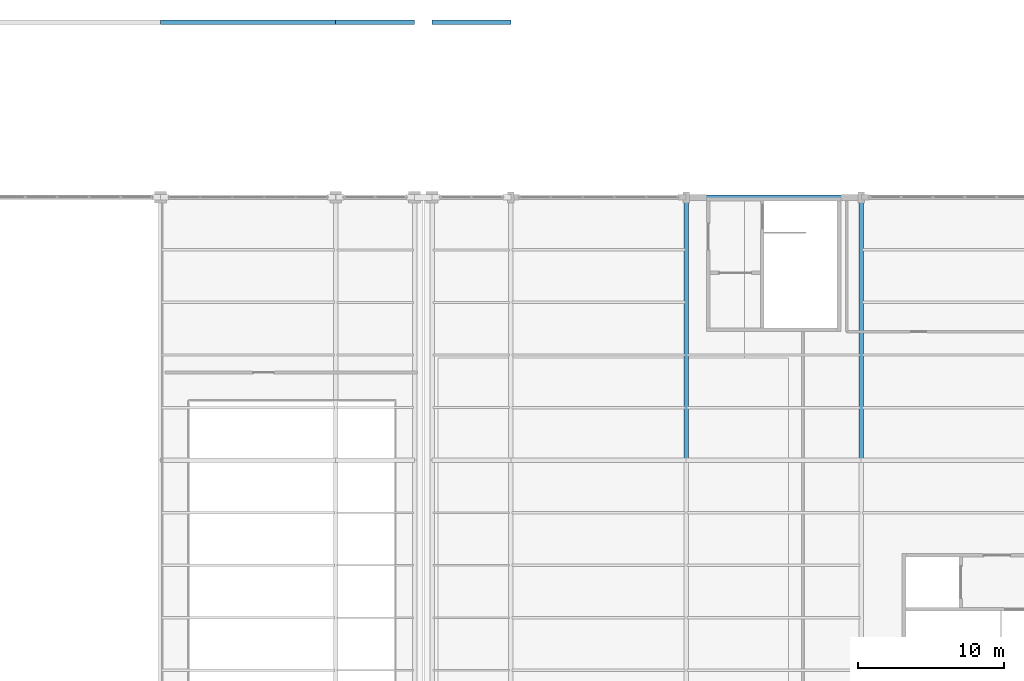
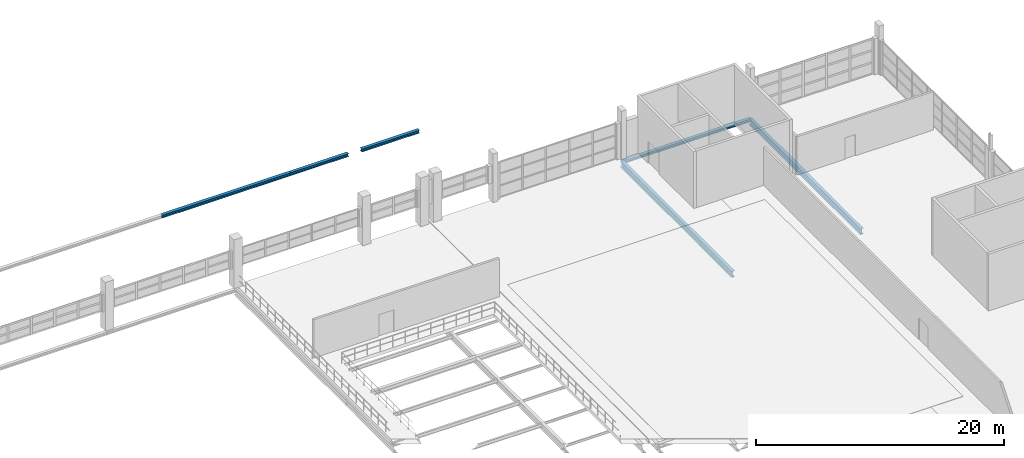
# One storey, part 66 of 86: 6 beams.
"""IFC4 building model written with IfcOpenShell, lengths in metres."""

from ifc_helpers import new_model, si_unit, direction, frame, origin, origin_2d, place, context, subcontext, project, spatial, i_section, extrude, material, material_profile, profile_set, type_object, element, save


model = new_model("IFC4")

# Units and contexts
model_context = context("Model", 3, precision=1e-05, world=origin(), true_north=direction((0.0, 1.0)))
body_context = subcontext(model_context, "Body", "Model", "MODEL_VIEW")
ifc_project = project(units=[si_unit("LENGTHUNIT", "METRE"), si_unit("AREAUNIT", "SQUARE_METRE"), si_unit("VOLUMEUNIT", "CUBIC_METRE"), si_unit("PLANEANGLEUNIT", "RADIAN"), si_unit("MASSUNIT", "GRAM", prefix="KILO")], contexts=[model_context])

# Site, building, storey
site_placement = place(None, origin())
site = spatial("IfcSite", under=ifc_project, at=site_placement, CompositionType="ELEMENT")
building_placement = place(site_placement, origin())
building = spatial("IfcBuilding", under=site, at=building_placement, Name="Zilviju Railside Exhibition Hall", CompositionType="ELEMENT")
storey_placement = place(building_placement, frame((0.0, 0.0, 12.60009765625)))
storey = spatial("IfcBuildingStorey", under=building, at=storey_placement, Name="L04", CompositionType="ELEMENT", Elevation=12.60009765625)

# Beams
ifc_material = material(Name="Steel S355J2", Category="steel")
ifc_material_profile_1 = material_profile(ifc_material, i_section(OverallWidth=0.300048828125, OverallDepth=0.2900390625, WebThickness=0.008544921875, FlangeThickness=0.013916015625, at=origin_2d()), Name="HEA 300")
ifc_profile_set_1 = profile_set([ifc_material_profile_1], Name="Steel S355J2")
beam_type_1 = type_object("IfcBeamType", Name="BM-HEA300", PredefinedType="SPANDREL", material=ifc_profile_set_1)
for number, where, z_axis, x_axis, name in (
    (1, (192.0, 138.0, -0.47509765625), (1.0, 0.0, 0.0), (0.0, 1.0, 0.0), "Primary Girder L04 Y=138.0 (192.0..204.0)"),
    (2, (156.0, 150.0, -0.485107421875), (1.0, 0.0, 0.0), (0.0, 1.0, 0.0), "Primary Girder L04 Y=150.0 (156.0..168.0)"),
):
    element("IfcBeam", number, at=place(storey_placement, frame(where, z_axis=z_axis, x_axis=x_axis)), inside=storey, type_object=beam_type_1, Name=name, PredefinedType="SPANDREL", context=body_context, shape_type="SweptSolid", body=[
        extrude(i_section(OverallWidth=0.300048828125, OverallDepth=0.2900390625, WebThickness=0.008544921875, FlangeThickness=0.013916015625, at=origin_2d()), origin(), (0.0, 0.0, 1.0), 12.0),
    ])
for number, where, z_axis, x_axis, name in (
    (3, (168.0, 150.0, -0.485107421875), (1.0, 0.0, 0.0), (0.0, 1.0, 0.0), "Primary Girder L04 Y=150.0 (168.0..173.4)"),
    (4, (174.60009765625, 150.0, -0.485107421875), (1.0, 0.0, 0.0), (0.0, 1.0, 0.0), "Primary Girder L04 Y=150.0 (174.6..180.0)"),
):
    element("IfcBeam", number, at=place(storey_placement, frame(where, z_axis=z_axis, x_axis=x_axis)), inside=storey, type_object=beam_type_1, Name=name, PredefinedType="SPANDREL", context=body_context, shape_type="SweptSolid", body=[
        extrude(i_section(OverallWidth=0.300048828125, OverallDepth=0.2900390625, WebThickness=0.008544921875, FlangeThickness=0.013916015625, at=origin_2d()), origin(), (0.0, 0.0, 1.0), 5.39990234375),
    ])
ifc_material_profile_2 = material_profile(ifc_material, i_section(OverallWidth=0.300048828125, OverallDepth=0.60009765625, WebThickness=0.015380859375, FlangeThickness=0.030029296875, at=origin_2d()), Name="HEB 600")
ifc_profile_set_2 = profile_set([ifc_material_profile_2], Name="Steel S355J2")
beam_type_2 = type_object("IfcBeamType", Name="BM-HEB600", PredefinedType="BEAM", material=ifc_profile_set_2)
for number, where, z_axis, x_axis, name in (
    (5, (192.0, 120.0, -0.630126953125), (0.0, 1.0, 0.0), (-1.0, 0.0, 0.0), "Transverse Girder L04 X=192.0 (120.0..138.0)"),
    (6, (204.0, 120.0, -0.630126953125), (0.0, 1.0, 0.0), (-1.0, 0.0, 0.0), "Transverse Girder L04 X=204.0 (120.0..138.0)"),
):
    element("IfcBeam", number, at=place(storey_placement, frame(where, z_axis=z_axis, x_axis=x_axis)), inside=storey, type_object=beam_type_2, Name=name, PredefinedType="BEAM", context=body_context, shape_type="SweptSolid", body=[
        extrude(i_section(OverallWidth=0.300048828125, OverallDepth=0.60009765625, WebThickness=0.015380859375, FlangeThickness=0.030029296875, at=origin_2d()), origin(), (0.0, 0.0, 1.0), 18.0),
    ])

save(model, "model.ifc")
